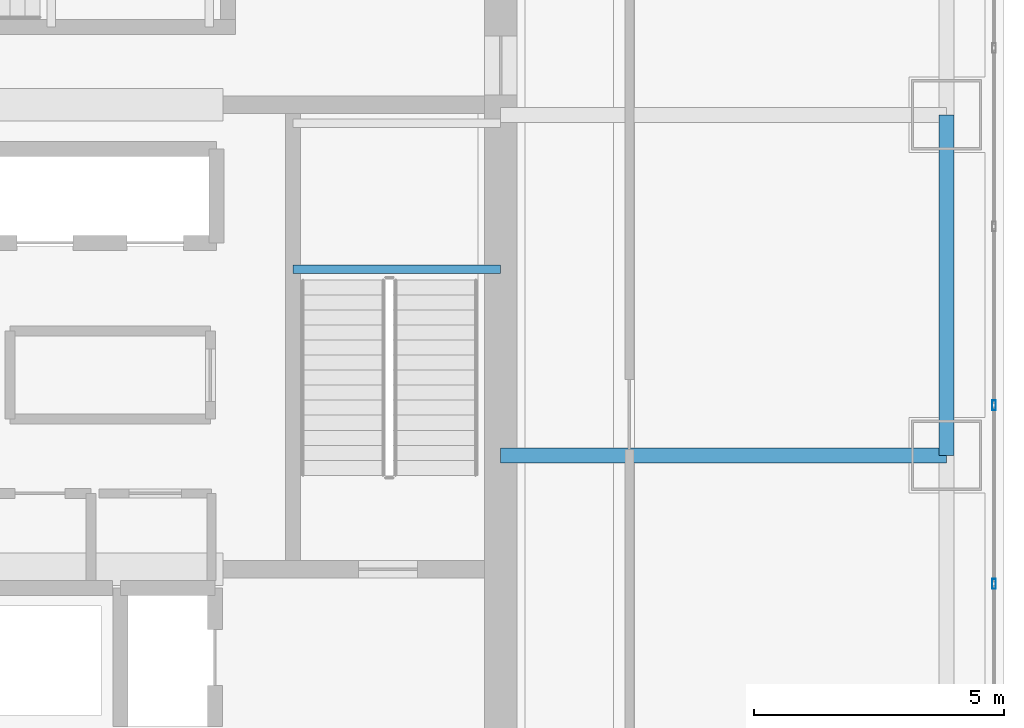
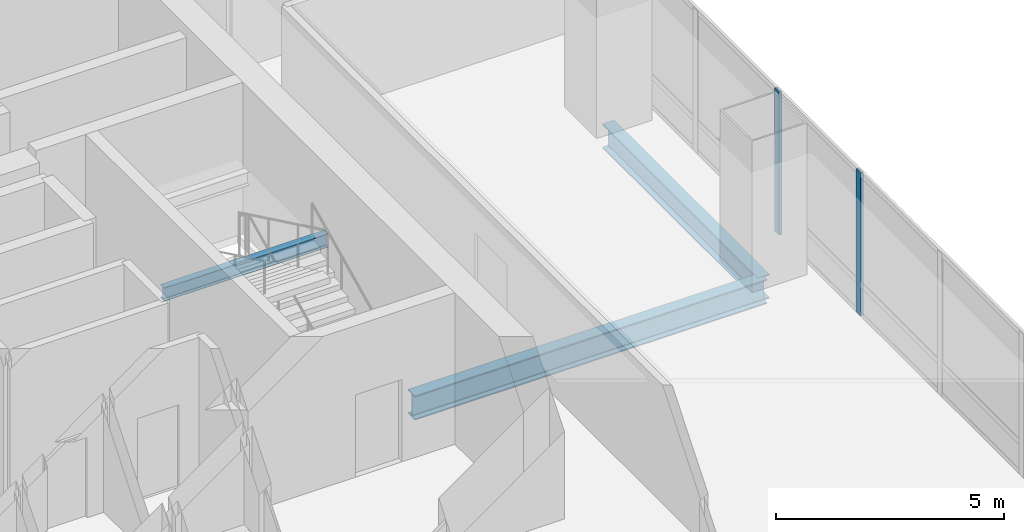
# One storey, part 14 of 38: 3 beams, 2 members, 1 element without a shape of its own.
"""IFC4 building model written with IfcOpenShell, lengths in metres."""

from ifc_helpers import new_model, si_unit, direction, frame, origin, origin_2d, place, context, subcontext, project, spatial, hollow_rectangle, i_section, extrude, material, material_profile, profile_set, type_object, element, aggregate, save


model = new_model("IFC4")

# Units and contexts
model_context = context("Model", 3, precision=1e-05, world=origin(), true_north=direction((0.0, 1.0)))
body_context = subcontext(model_context, "Body", "Model", "MODEL_VIEW")
ifc_project = project(units=[si_unit("LENGTHUNIT", "METRE"), si_unit("AREAUNIT", "SQUARE_METRE"), si_unit("VOLUMEUNIT", "CUBIC_METRE"), si_unit("PLANEANGLEUNIT", "RADIAN"), si_unit("MASSUNIT", "GRAM", prefix="KILO")], contexts=[model_context])

# Site, building, storey
site_placement = place(None, origin())
site = spatial("IfcSite", under=ifc_project, at=site_placement, CompositionType="ELEMENT")
building_placement = place(site_placement, origin())
building = spatial("IfcBuilding", under=site, at=building_placement, Name="Punatoya Terracotta Tower", CompositionType="ELEMENT")
storey_placement = place(building_placement, frame((0.0, 0.0, 188.39990234375)))
storey = spatial("IfcBuildingStorey", under=building, at=storey_placement, Name="L44", CompositionType="ELEMENT", Elevation=188.39990234375)

# Beams
ifc_material_1 = material(Name="Steel S355", Category="steel")
ifc_material_profile_1 = material_profile(ifc_material_1, i_section(OverallWidth=0.300048828125, OverallDepth=0.64990234375, WebThickness=0.01611328125, FlangeThickness=0.031005859375, FilletRadius=0.01806640625, at=origin_2d()))
ifc_profile_set_1 = profile_set([ifc_material_profile_1], Name="Steel S355")
beam_type_1 = type_object("IfcBeamType", Name="BM-PRI-650", PredefinedType="BEAM", material=ifc_profile_set_1)
beam_1_placement = place(storey_placement, frame((19.10009765625, -3.39990234375, -0.544921875), z_axis=(0.0, 1.0, 0.0), x_axis=(-1.0, 0.0, 0.0)))
element("IfcBeam", 1, at=beam_1_placement, inside=storey, type_object=beam_type_1, Name="BM-L44-RG-E2", PredefinedType="BEAM", context=body_context, shape_type="SweptSolid", body=[
    extrude(i_section(OverallWidth=0.300048828125, OverallDepth=0.64990234375, WebThickness=0.01611328125, FlangeThickness=0.031005859375, FilletRadius=0.01806640625, at=origin_2d()), origin(), (0.0, 0.0, 1.0), 6.7998046875),
])
beam_2_placement = place(storey_placement, frame((10.199951171875, -3.39990234375, -0.544921875), z_axis=(1.0, 0.0, 0.0), x_axis=(0.0, 1.0, 0.0)))
element("IfcBeam", 2, at=beam_2_placement, inside=storey, type_object=beam_type_1, Name="BM-L44-PR-ED", PredefinedType="BEAM", context=body_context, shape_type="SweptSolid", body=[
    extrude(i_section(OverallWidth=0.300048828125, OverallDepth=0.64990234375, WebThickness=0.01611328125, FlangeThickness=0.031005859375, FilletRadius=0.01806640625, at=origin_2d()), origin(), (0.0, 0.0, 1.0), 8.900146484375),
])
ifc_material_profile_2 = material_profile(ifc_material_1, i_section(OverallWidth=0.169921875, OverallDepth=0.360107421875, WebThickness=0.008056640625, FlangeThickness=0.0126953125, FilletRadius=0.01806640625, at=origin_2d()))
ifc_profile_set_2 = profile_set([ifc_material_profile_2], Name="Steel S355")
beam_type_2 = type_object("IfcBeamType", Name="BM-SEC-360", PredefinedType="JOIST", material=ifc_profile_set_2)
beam_3_placement = place(storey_placement, frame((6.050048828125, 0.320068359375, 1.64501953125), z_axis=(1.0, 0.0, 0.0), x_axis=(0.0, 1.0, 0.0)))
element("IfcBeam", 3, at=beam_3_placement, inside=storey, type_object=beam_type_2, Name="BM-L44-ST-2-LD1A", PredefinedType="JOIST", context=body_context, shape_type="SweptSolid", body=[
    extrude(i_section(OverallWidth=0.169921875, OverallDepth=0.360107421875, WebThickness=0.008056640625, FlangeThickness=0.0126953125, FilletRadius=0.01806640625, at=origin_2d()), origin(), (0.0, 0.0, 1.0), 4.14990234375),
])

# Curtain wall, members
ifc_material_2 = material(Name="Aluminium 6063-T6 + Double Low-E Glass", Category="aluminium")
curtain_wall_type = type_object("IfcCurtainWallType", Name="CW-M2", PredefinedType="NOTDEFINED", material=ifc_material_2)
curtain_wall_placement = place(storey_placement, origin())
curtain_wall = element("IfcCurtainWall", 4, at=curtain_wall_placement, inside=storey, type_object=curtain_wall_type, Name="L44 Curtain Wall CW-L44-E05-1", PredefinedType="NOTDEFINED")
ifc_material_3 = material(Name="Aluminium 6063-T6", Category="aluminium")
ifc_material_profile_3 = material_profile(ifc_material_3, hollow_rectangle(XDim=0.072021484375, YDim=0.195068359375, WallThickness=0.00439453125, at=origin_2d()))
ifc_profile_set_3 = profile_set([ifc_material_profile_3], Name="Aluminium 6063-T6")
member_type = type_object("IfcMemberType", Name="CW-MUL-M2", PredefinedType="MULLION", material=ifc_profile_set_3)
member_1_placement = place(storey_placement, frame((20.050048828125, -5.96728515625, 0.0), z_axis=(0.0, 0.0, 1.0), x_axis=(1.0, 0.0, 0.0)))
member_1 = element("IfcMember", 5, at=member_1_placement, type_object=member_type, Name="CW-L44-E05-1 Mullion 04", PredefinedType="MULLION", context=body_context, shape_type="SweptSolid", body=[
    extrude(hollow_rectangle(XDim=0.072021484375, YDim=0.195068359375, WallThickness=0.00439453125, at=origin_2d()), origin(), (0.0, 0.0, 1.0), 3.830078125),
])
member_2_placement = place(storey_placement, frame((20.050048828125, -2.39990234375, 0.0), z_axis=(0.0, 0.0, 1.0), x_axis=(1.0, 0.0, 0.0)))
member_2 = element("IfcMember", 6, at=member_2_placement, type_object=member_type, Name="CW-L44-E05-1 Mullion 05", PredefinedType="MULLION", context=body_context, shape_type="SweptSolid", body=[
    extrude(hollow_rectangle(XDim=0.072021484375, YDim=0.195068359375, WallThickness=0.00439453125, at=origin_2d()), origin(), (0.0, 0.0, 1.0), 3.830078125),
])
aggregate(curtain_wall, [member_1, member_2])

save(model, "model.ifc")
